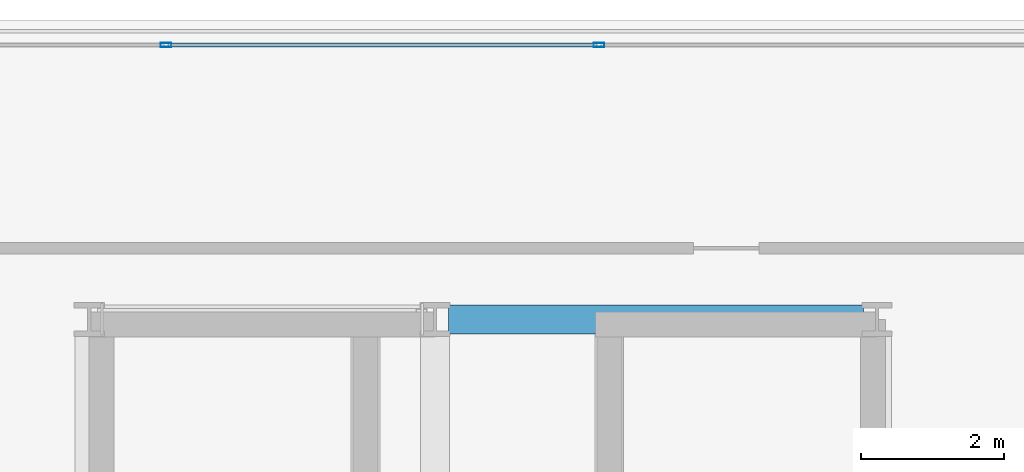
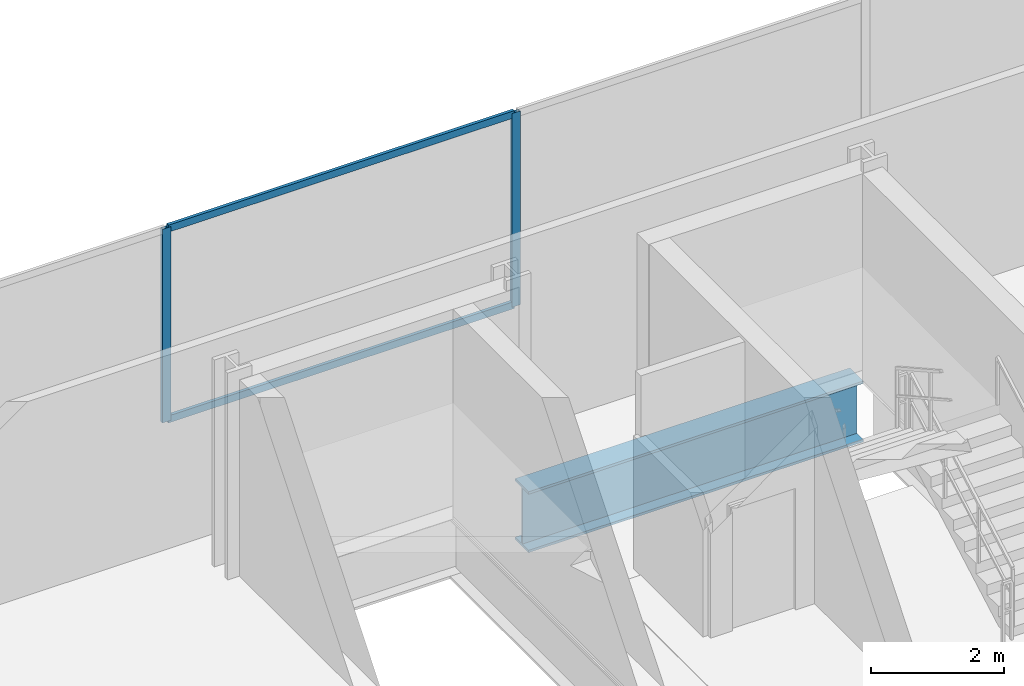
# One storey, part 10 of 19: 4 members, 1 beam, 1 element without a shape of its own.
"""IFC4 building model written with IfcOpenShell, lengths in metres."""

from ifc_helpers import new_model, si_unit, direction, frame, origin, origin_2d, place, context, subcontext, project, spatial, hollow_rectangle, i_section, extrude, material, layer, layer_set, material_profile, profile_set, type_object, element, aggregate, save


model = new_model("IFC4")

# Units and contexts
model_context = context("Model", 3, precision=1e-05, world=origin(), true_north=direction((0.0, 1.0)))
body_context = subcontext(model_context, "Body", "Model", "MODEL_VIEW")
ifc_project = project(units=[si_unit("LENGTHUNIT", "METRE"), si_unit("AREAUNIT", "SQUARE_METRE"), si_unit("VOLUMEUNIT", "CUBIC_METRE"), si_unit("PLANEANGLEUNIT", "RADIAN"), si_unit("MASSUNIT", "GRAM", prefix="KILO")], contexts=[model_context])

# Site, building, storey
site_placement = place(None, origin())
site = spatial("IfcSite", under=ifc_project, at=site_placement, CompositionType="ELEMENT")
building_placement = place(site_placement, origin())
building = spatial("IfcBuilding", under=site, at=building_placement, Name="Zuhayl Quay Hotel", CompositionType="ELEMENT")
storey_placement = place(building_placement, frame((0.0, 0.0, 304.85009765625)))
storey = spatial("IfcBuildingStorey", under=building, at=storey_placement, Name="Crown 3", CompositionType="ELEMENT", Elevation=304.85009765625)

# Beam
ifc_material_1 = material(Name="Steel ASTM A913 Grade 65", Category="steel")
ifc_material_profile_1 = material_profile(ifc_material_1, i_section(OverallWidth=0.404052734375, OverallDepth=1.117919921875, WebThickness=0.026123046875, FlangeThickness=0.044921875, at=origin_2d()), Name="W44X335")
ifc_profile_set_1 = profile_set([ifc_material_profile_1], Name="Steel ASTM A913 Grade 65")
beam_type = type_object("IfcBeamType", Name="BM_TG1_W44X335", PredefinedType="BEAM", material=ifc_profile_set_1)
beam_placement = place(storey_placement, frame((-4.409912109375, 34.449951171875, -0.799072265625), z_axis=(1.0, 0.0, 0.0), x_axis=(0.0, 1.0, 0.0)))
element("IfcBeam", 1, at=beam_placement, inside=storey, type_object=beam_type, Name="Crown 3 Floor Beam CR_EW_3_2_2", PredefinedType="BEAM", context=body_context, shape_type="SweptSolid", body=[
    extrude(i_section(OverallWidth=0.404052734375, OverallDepth=1.117919921875, WebThickness=0.026123046875, FlangeThickness=0.044921875, at=origin_2d()), origin(), (0.0, 0.0, 1.0), 5.81982421875),
])

# Curtain wall, members
ifc_material_2 = material(Name="Anodised Aluminium 6063-T6", Category="aluminium")
ifc_layer = layer(ifc_material_2, 0.159912109375, Name="Anodised Aluminium 6063-T6", Category="aluminium")
ifc_layer_set = layer_set([ifc_layer], Name="Anodised Aluminium 6063-T6")
curtain_wall_type = type_object("IfcCurtainWallType", Name="CW_SYS_CRN", PredefinedType="USERDEFINED", material=ifc_layer_set)
curtain_wall_placement = place(storey_placement, origin())
curtain_wall = element("IfcCurtainWall", 2, at=curtain_wall_placement, inside=storey, type_object=curtain_wall_type, Name="Crown 3 Curtain Wall ENV_CR3_E3_CW1", ObjectType="UNITISED CURTAIN WALL", PredefinedType="USERDEFINED")
ifc_material_3 = material(Name="Black-anodised aluminium 6063-T6", Category="aluminium")
ifc_material_profile_2 = material_profile(ifc_material_3, hollow_rectangle(XDim=0.06005859375, YDim=0.14990234375, WallThickness=0.00341796875, at=origin_2d()), Name="ALU150X60")
ifc_profile_set_2 = profile_set([ifc_material_profile_2], Name="Black-anodised aluminium 6063-T6")
member_type_1 = type_object("IfcMemberType", Name="MB_CW_MUL_150", PredefinedType="MULLION", material=ifc_profile_set_2)
member_1_placement = place(storey_placement, frame((-8.375, 38.300048828125, 0.0), z_axis=(0.0, 0.0, 1.0), x_axis=(0.0, 1.0, 0.0)))
member_1 = element("IfcMember", 3, at=member_1_placement, type_object=member_type_1, Name="CW-CRN mullion 2", PredefinedType="MULLION", context=body_context, shape_type="SweptSolid", body=[
    extrude(hollow_rectangle(XDim=0.06005859375, YDim=0.14990234375, WallThickness=0.00341796875, at=origin_2d()), origin(), (0.0, 0.0, 1.0), 3.559814453125),
])
member_2_placement = place(storey_placement, frame((-2.300048828125, 38.300048828125, 0.0), z_axis=(0.0, 0.0, 1.0), x_axis=(0.0, 1.0, 0.0)))
member_2 = element("IfcMember", 4, at=member_2_placement, type_object=member_type_1, Name="CW-CRN mullion 3", PredefinedType="MULLION", context=body_context, shape_type="SweptSolid", body=[
    extrude(hollow_rectangle(XDim=0.06005859375, YDim=0.14990234375, WallThickness=0.00341796875, at=origin_2d()), origin(), (0.0, 0.0, 1.0), 3.559814453125),
])
ifc_material_profile_3 = material_profile(ifc_material_3, hollow_rectangle(XDim=0.054931640625, YDim=0.1298828125, WallThickness=0.0029296875, at=origin_2d()), Name="ALU130X55")
ifc_profile_set_3 = profile_set([ifc_material_profile_3], Name="Black-anodised aluminium 6063-T6")
member_type_2 = type_object("IfcMemberType", Name="MB_CW_TRN_130", PredefinedType="USERDEFINED", material=ifc_profile_set_3)
member_3_placement = place(storey_placement, frame((-8.344970703125, 38.300048828125, 0.02734375), z_axis=(1.0, 0.0, 0.0), x_axis=(0.0, 1.0, 0.0)))
member_3 = element("IfcMember", 5, at=member_3_placement, type_object=member_type_2, Name="CW-CRN transom 2.1", ObjectType="TRANSOM", PredefinedType="USERDEFINED", context=body_context, shape_type="SweptSolid", body=[
    extrude(hollow_rectangle(XDim=0.054931640625, YDim=0.1298828125, WallThickness=0.0029296875, at=origin_2d()), origin(), (0.0, 0.0, 1.0), 6.014892578125),
])
member_4_placement = place(storey_placement, frame((-8.344970703125, 38.300048828125, 3.532470703125), z_axis=(1.0, 0.0, 0.0), x_axis=(0.0, 1.0, 0.0)))
member_4 = element("IfcMember", 6, at=member_4_placement, type_object=member_type_2, Name="CW-CRN transom 2.2", ObjectType="TRANSOM", PredefinedType="USERDEFINED", context=body_context, shape_type="SweptSolid", body=[
    extrude(hollow_rectangle(XDim=0.054931640625, YDim=0.1298828125, WallThickness=0.0029296875, at=origin_2d()), origin(), (0.0, 0.0, 1.0), 6.014892578125),
])
aggregate(curtain_wall, [member_1, member_2, member_3, member_4])

save(model, "model.ifc")
